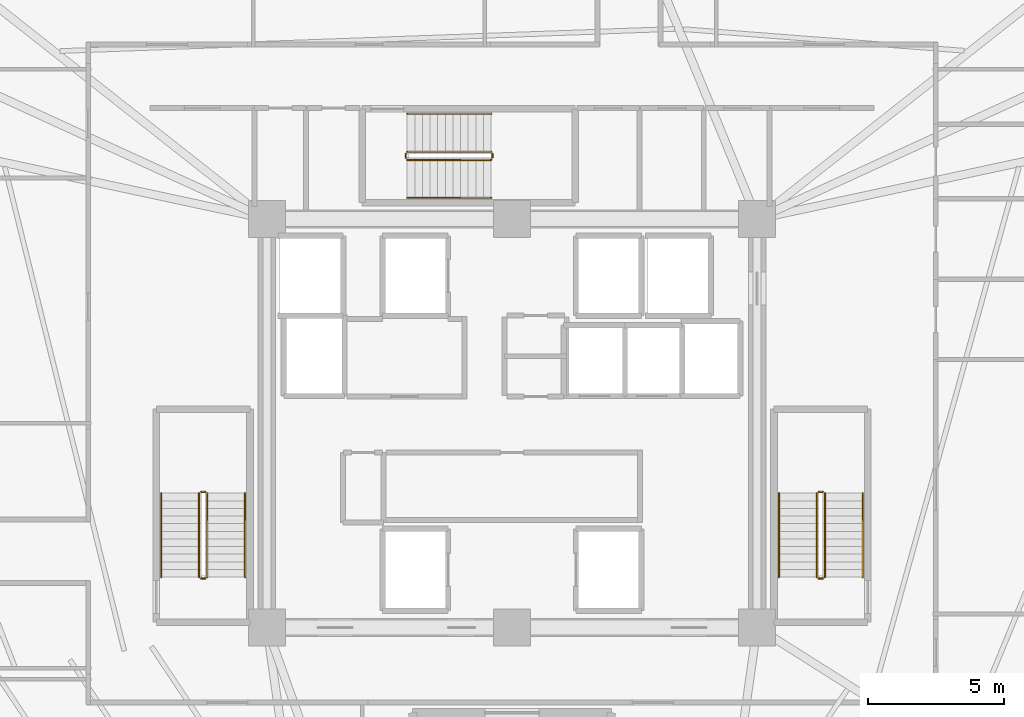
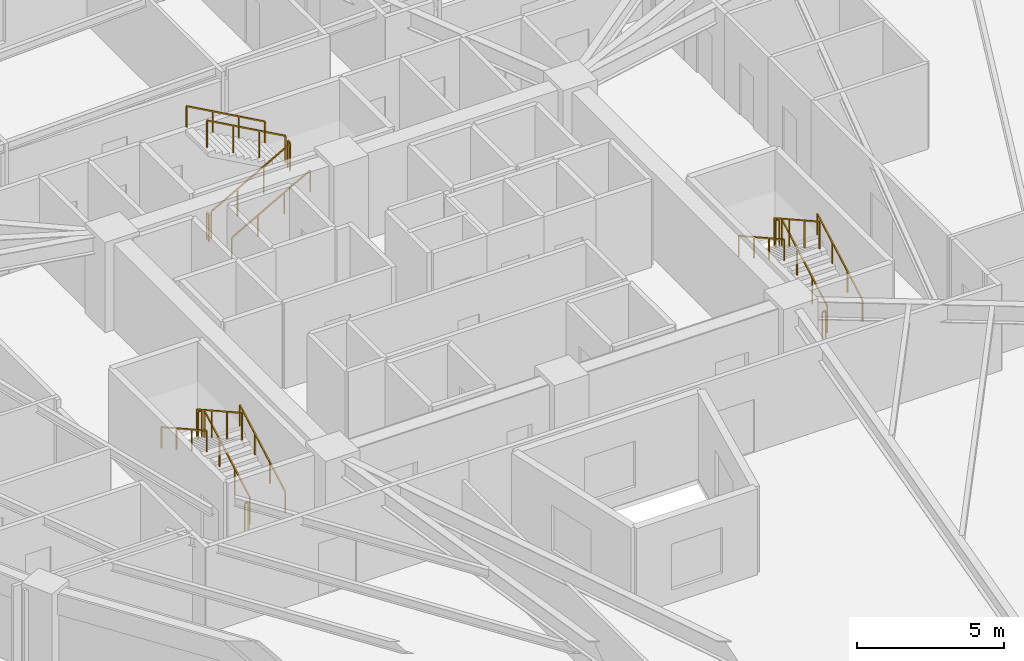
# One storey, part 8 of 8: 18 railings.
"""IFC4 building model written with IfcOpenShell, lengths in metres."""

from ifc_helpers import new_model, si_unit, direction, frame, origin, origin_2d, place, context, subcontext, project, spatial, rectangle, extrude, material, type_object, element, save


model = new_model("IFC4")

# Units and contexts
model_context = context("Model", 3, precision=1e-05, world=origin(), true_north=direction((0.0, 1.0)))
body_context = subcontext(model_context, "Body", "Model", "MODEL_VIEW")
ifc_project = project(units=[si_unit("LENGTHUNIT", "METRE"), si_unit("AREAUNIT", "SQUARE_METRE"), si_unit("VOLUMEUNIT", "CUBIC_METRE"), si_unit("PLANEANGLEUNIT", "RADIAN"), si_unit("MASSUNIT", "GRAM", prefix="KILO")], contexts=[model_context])

# Site, building, storey
site_placement = place(None, origin())
site = spatial("IfcSite", under=ifc_project, at=site_placement, CompositionType="ELEMENT")
building_placement = place(site_placement, origin())
building = spatial("IfcBuilding", under=site, at=building_placement, Name="Liaohun Quay Tower", CompositionType="ELEMENT")
storey_placement = place(building_placement, frame((0.0, 0.0, 251.25)))
storey = spatial("IfcBuildingStorey", under=building, at=storey_placement, Name="L65", CompositionType="ELEMENT", Elevation=251.25)

# Railings
ifc_material_1 = material(Name="Painted tubular steel", Category="steel")
railing_type_1 = type_object("IfcRailingType", Name="RLG-GUARD-STR", PredefinedType="GUARDRAIL", material=ifc_material_1)
railing_1_placement = place(storey_placement, frame((48.81005859375, 48.35009765625, 0.15625)))
element("IfcRailing", 1, at=railing_1_placement, inside=storey, type_object=railing_type_1, Name="L65 ST-1 stair guard 1", PredefinedType="GUARDRAIL", context=body_context, shape_type="SweptSolid", body=[
    extrude(rectangle(XDim=0.048095703125, YDim=0.048095703125, at=origin_2d()), frame((0.0, 0.0, 1.1259765625), z_axis=(0.0, 0.873225103656, 0.487317061414), x_axis=(-1.0, 0.0, 0.0)), (0.0, 0.0, 1.0), 3.52685546875),
    extrude(rectangle(XDim=0.0419921875, YDim=0.0419921875, at=origin_2d()), origin(), (0.0, 0.0, 1.0), 1.101806640625),
    extrude(rectangle(XDim=0.0419921875, YDim=0.0419921875, at=origin_2d()), frame((0.0, 1.026611328125, 0.572998046875)), (0.0, 0.0, 1.0), 1.101806640625),
    extrude(rectangle(XDim=0.0419921875, YDim=0.0419921875, at=origin_2d()), frame((0.0, 2.05322265625, 1.145751953125)), (0.0, 0.0, 1.0), 1.101806640625),
    extrude(rectangle(XDim=0.0419921875, YDim=0.0419921875, at=origin_2d()), frame((0.0, 3.079833984375, 1.71875)), (0.0, 0.0, 1.0), 1.101806640625),
])
railing_2_placement = place(storey_placement, frame((48.72998046875, 51.47998046875, 1.875)))
element("IfcRailing", 2, at=railing_2_placement, inside=storey, type_object=railing_type_1, Name="L65 ST-1 stair guard 2", PredefinedType="GUARDRAIL", context=body_context, shape_type="SweptSolid", body=[
    extrude(rectangle(XDim=0.048095703125, YDim=0.048095703125, at=origin_2d()), frame((0.0, 0.0, 1.1259765625), z_axis=(-1.0, 0.0, 0.0), x_axis=(0.0, -1.0, 0.0)), (0.0, 0.0, 1.0), 0.139892578125),
    extrude(rectangle(XDim=0.0419921875, YDim=0.0419921875, at=origin_2d()), origin(), (0.0, 0.0, 1.0), 1.101806640625),
    extrude(rectangle(XDim=0.0419921875, YDim=0.0419921875, at=origin_2d()), frame((-0.139892578125, 0.0, 0.0)), (0.0, 0.0, 1.0), 1.101806640625),
])
railing_3_placement = place(storey_placement, frame((48.510009765625, 51.429931640625, 2.03125)))
element("IfcRailing", 3, at=railing_3_placement, inside=storey, type_object=railing_type_1, Name="L65 ST-1 stair guard 3", PredefinedType="GUARDRAIL", context=body_context, shape_type="SweptSolid", body=[
    extrude(rectangle(XDim=0.048095703125, YDim=0.048095703125, at=origin_2d()), frame((0.0, 0.0, 1.1259765625), z_axis=(0.0, -0.873225103656, 0.487317061414), x_axis=(1.0, 0.0, 0.0)), (0.0, 0.0, 1.0), 3.52685546875),
    extrude(rectangle(XDim=0.0419921875, YDim=0.0419921875, at=origin_2d()), origin(), (0.0, 0.0, 1.0), 1.101806640625),
    extrude(rectangle(XDim=0.0419921875, YDim=0.0419921875, at=origin_2d()), frame((0.0, -1.026611328125, 0.572998046875)), (0.0, 0.0, 1.0), 1.101806640625),
    extrude(rectangle(XDim=0.0419921875, YDim=0.0419921875, at=origin_2d()), frame((0.0, -2.05322265625, 1.145751953125)), (0.0, 0.0, 1.0), 1.101806640625),
    extrude(rectangle(XDim=0.0419921875, YDim=0.0419921875, at=origin_2d()), frame((0.0, -3.079833984375, 1.71875)), (0.0, 0.0, 1.0), 1.101806640625),
])
railing_4_placement = place(storey_placement, frame((48.72998046875, 48.300048828125, 0.0)))
element("IfcRailing", 4, at=railing_4_placement, inside=storey, type_object=railing_type_1, Name="L65 ST-1 stair guard 4", PredefinedType="GUARDRAIL", context=body_context, shape_type="SweptSolid", body=[
    extrude(rectangle(XDim=0.048095703125, YDim=0.048095703125, at=origin_2d()), frame((0.0, 0.0, 1.1259765625), z_axis=(-1.0, 0.0, 0.0), x_axis=(0.0, -1.0, 0.0)), (0.0, 0.0, 1.0), 0.139892578125),
    extrude(rectangle(XDim=0.0419921875, YDim=0.0419921875, at=origin_2d()), origin(), (0.0, 0.0, 1.0), 1.101806640625),
    extrude(rectangle(XDim=0.0419921875, YDim=0.0419921875, at=origin_2d()), frame((-0.139892578125, 0.0, 0.0)), (0.0, 0.0, 1.0), 1.101806640625),
])
railing_5_placement = place(storey_placement, frame((71.489990234375, 48.35009765625, 0.15625)))
element("IfcRailing", 5, at=railing_5_placement, inside=storey, type_object=railing_type_1, Name="L65 ST-2 stair guard 1", PredefinedType="GUARDRAIL", context=body_context, shape_type="SweptSolid", body=[
    extrude(rectangle(XDim=0.048095703125, YDim=0.048095703125, at=origin_2d()), frame((0.0, 0.0, 1.1259765625), z_axis=(0.0, 0.873225103656, 0.487317061414), x_axis=(-1.0, 0.0, 0.0)), (0.0, 0.0, 1.0), 3.52685546875),
    extrude(rectangle(XDim=0.0419921875, YDim=0.0419921875, at=origin_2d()), origin(), (0.0, 0.0, 1.0), 1.101806640625),
    extrude(rectangle(XDim=0.0419921875, YDim=0.0419921875, at=origin_2d()), frame((0.0, 1.026611328125, 0.572998046875)), (0.0, 0.0, 1.0), 1.101806640625),
    extrude(rectangle(XDim=0.0419921875, YDim=0.0419921875, at=origin_2d()), frame((0.0, 2.05322265625, 1.145751953125)), (0.0, 0.0, 1.0), 1.101806640625),
    extrude(rectangle(XDim=0.0419921875, YDim=0.0419921875, at=origin_2d()), frame((0.0, 3.079833984375, 1.71875)), (0.0, 0.0, 1.0), 1.101806640625),
])
railing_6_placement = place(storey_placement, frame((71.409912109375, 51.47998046875, 1.875)))
element("IfcRailing", 6, at=railing_6_placement, inside=storey, type_object=railing_type_1, Name="L65 ST-2 stair guard 2", PredefinedType="GUARDRAIL", context=body_context, shape_type="SweptSolid", body=[
    extrude(rectangle(XDim=0.048095703125, YDim=0.048095703125, at=origin_2d()), frame((0.0, 0.0, 1.1259765625), z_axis=(-1.0, 0.0, 0.0), x_axis=(0.0, -1.0, 0.0)), (0.0, 0.0, 1.0), 0.139892578125),
    extrude(rectangle(XDim=0.0419921875, YDim=0.0419921875, at=origin_2d()), origin(), (0.0, 0.0, 1.0), 1.101806640625),
    extrude(rectangle(XDim=0.0419921875, YDim=0.0419921875, at=origin_2d()), frame((-0.139892578125, 0.0, 0.0)), (0.0, 0.0, 1.0), 1.101806640625),
])
railing_7_placement = place(storey_placement, frame((71.18994140625, 51.429931640625, 2.03125)))
element("IfcRailing", 7, at=railing_7_placement, inside=storey, type_object=railing_type_1, Name="L65 ST-2 stair guard 3", PredefinedType="GUARDRAIL", context=body_context, shape_type="SweptSolid", body=[
    extrude(rectangle(XDim=0.048095703125, YDim=0.048095703125, at=origin_2d()), frame((0.0, 0.0, 1.1259765625), z_axis=(0.0, -0.873225103656, 0.487317061414), x_axis=(1.0, 0.0, 0.0)), (0.0, 0.0, 1.0), 3.52685546875),
    extrude(rectangle(XDim=0.0419921875, YDim=0.0419921875, at=origin_2d()), origin(), (0.0, 0.0, 1.0), 1.101806640625),
    extrude(rectangle(XDim=0.0419921875, YDim=0.0419921875, at=origin_2d()), frame((0.0, -1.026611328125, 0.572998046875)), (0.0, 0.0, 1.0), 1.101806640625),
    extrude(rectangle(XDim=0.0419921875, YDim=0.0419921875, at=origin_2d()), frame((0.0, -2.05322265625, 1.145751953125)), (0.0, 0.0, 1.0), 1.101806640625),
    extrude(rectangle(XDim=0.0419921875, YDim=0.0419921875, at=origin_2d()), frame((0.0, -3.079833984375, 1.71875)), (0.0, 0.0, 1.0), 1.101806640625),
])
railing_8_placement = place(storey_placement, frame((71.409912109375, 48.300048828125, 0.0)))
element("IfcRailing", 8, at=railing_8_placement, inside=storey, type_object=railing_type_1, Name="L65 ST-2 stair guard 4", PredefinedType="GUARDRAIL", context=body_context, shape_type="SweptSolid", body=[
    extrude(rectangle(XDim=0.048095703125, YDim=0.048095703125, at=origin_2d()), frame((0.0, 0.0, 1.1259765625), z_axis=(-1.0, 0.0, 0.0), x_axis=(0.0, -1.0, 0.0)), (0.0, 0.0, 1.0), 0.139892578125),
    extrude(rectangle(XDim=0.0419921875, YDim=0.0419921875, at=origin_2d()), origin(), (0.0, 0.0, 1.0), 1.101806640625),
    extrude(rectangle(XDim=0.0419921875, YDim=0.0419921875, at=origin_2d()), frame((-0.139892578125, 0.0, 0.0)), (0.0, 0.0, 1.0), 1.101806640625),
])
railing_9_placement = place(storey_placement, frame((56.14990234375, 63.669921875, 0.15625)))
element("IfcRailing", 9, at=railing_9_placement, inside=storey, type_object=railing_type_1, Name="L65 ST-3 stair guard 1", PredefinedType="GUARDRAIL", context=body_context, shape_type="SweptSolid", body=[
    extrude(rectangle(XDim=0.048095703125, YDim=0.048095703125, at=origin_2d()), frame((0.0, 0.0, 1.1259765625), z_axis=(0.873241540666, 0.0, 0.487287606713), x_axis=(0.0, 1.0, 0.0)), (0.0, 0.0, 1.0), 3.527099609375),
    extrude(rectangle(XDim=0.0419921875, YDim=0.0419921875, at=origin_2d()), origin(), (0.0, 0.0, 1.0), 1.101806640625),
    extrude(rectangle(XDim=0.0419921875, YDim=0.0419921875, at=origin_2d()), frame((1.026611328125, 0.0, 0.572998046875)), (0.0, 0.0, 1.0), 1.101806640625),
    extrude(rectangle(XDim=0.0419921875, YDim=0.0419921875, at=origin_2d()), frame((2.053466796875, 0.0, 1.145751953125)), (0.0, 0.0, 1.0), 1.101806640625),
    extrude(rectangle(XDim=0.0419921875, YDim=0.0419921875, at=origin_2d()), frame((3.080078125, 0.0, 1.71875)), (0.0, 0.0, 1.0), 1.101806640625),
])
railing_10_placement = place(storey_placement, frame((59.280029296875, 63.75, 1.875)))
element("IfcRailing", 10, at=railing_10_placement, inside=storey, type_object=railing_type_1, Name="L65 ST-3 stair guard 2", PredefinedType="GUARDRAIL", context=body_context, shape_type="SweptSolid", body=[
    extrude(rectangle(XDim=0.048095703125, YDim=0.048095703125, at=origin_2d()), frame((0.0, 0.0, 1.1259765625), z_axis=(0.0, 1.0, 0.0), x_axis=(-1.0, 0.0, 0.0)), (0.0, 0.0, 1.0), 0.139892578125),
    extrude(rectangle(XDim=0.0419921875, YDim=0.0419921875, at=origin_2d()), origin(), (0.0, 0.0, 1.0), 1.101806640625),
    extrude(rectangle(XDim=0.0419921875, YDim=0.0419921875, at=origin_2d()), frame((0.0, 0.139892578125, 0.0)), (0.0, 0.0, 1.0), 1.101806640625),
])
railing_11_placement = place(storey_placement, frame((59.22998046875, 63.969970703125, 2.03125)))
element("IfcRailing", 11, at=railing_11_placement, inside=storey, type_object=railing_type_1, Name="L65 ST-3 stair guard 3", PredefinedType="GUARDRAIL", context=body_context, shape_type="SweptSolid", body=[
    extrude(rectangle(XDim=0.048095703125, YDim=0.048095703125, at=origin_2d()), frame((0.0, 0.0, 1.1259765625), z_axis=(-0.873241540666, 0.0, 0.487287606713), x_axis=(0.0, -1.0, 0.0)), (0.0, 0.0, 1.0), 3.527099609375),
    extrude(rectangle(XDim=0.0419921875, YDim=0.0419921875, at=origin_2d()), origin(), (0.0, 0.0, 1.0), 1.101806640625),
    extrude(rectangle(XDim=0.0419921875, YDim=0.0419921875, at=origin_2d()), frame((-1.026611328125, 0.0, 0.572998046875)), (0.0, 0.0, 1.0), 1.101806640625),
    extrude(rectangle(XDim=0.0419921875, YDim=0.0419921875, at=origin_2d()), frame((-2.053466796875, 0.0, 1.145751953125)), (0.0, 0.0, 1.0), 1.101806640625),
    extrude(rectangle(XDim=0.0419921875, YDim=0.0419921875, at=origin_2d()), frame((-3.080078125, 0.0, 1.71875)), (0.0, 0.0, 1.0), 1.101806640625),
])
railing_12_placement = place(storey_placement, frame((56.10009765625, 63.75, 0.0)))
element("IfcRailing", 12, at=railing_12_placement, inside=storey, type_object=railing_type_1, Name="L65 ST-3 stair guard 4", PredefinedType="GUARDRAIL", context=body_context, shape_type="SweptSolid", body=[
    extrude(rectangle(XDim=0.048095703125, YDim=0.048095703125, at=origin_2d()), frame((0.0, 0.0, 1.1259765625), z_axis=(0.0, 1.0, 0.0), x_axis=(-1.0, 0.0, 0.0)), (0.0, 0.0, 1.0), 0.139892578125),
    extrude(rectangle(XDim=0.0419921875, YDim=0.0419921875, at=origin_2d()), origin(), (0.0, 0.0, 1.0), 1.101806640625),
    extrude(rectangle(XDim=0.0419921875, YDim=0.0419921875, at=origin_2d()), frame((0.0, 0.139892578125, 0.0)), (0.0, 0.0, 1.0), 1.101806640625),
])
ifc_material_2 = material(Name="Brushed stainless steel", Category="steel")
railing_type_2 = type_object("IfcRailingType", Name="RLG-HND-STR", PredefinedType="HANDRAIL", material=ifc_material_2)
railing_13_placement = place(storey_placement, frame((50.199951171875, 48.35009765625, 0.15625)))
element("IfcRailing", 13, at=railing_13_placement, inside=storey, type_object=railing_type_2, Name="L65 ST-1 stair handrail 1", PredefinedType="HANDRAIL", context=body_context, shape_type="SweptSolid", body=[
    extrude(rectangle(XDim=0.048095703125, YDim=0.048095703125, at=origin_2d()), frame((0.0, 0.0, 0.8759765625), z_axis=(0.0, 0.873225103656, 0.487317061414), x_axis=(-1.0, 0.0, 0.0)), (0.0, 0.0, 1.0), 3.52685546875),
    extrude(rectangle(XDim=0.0419921875, YDim=0.0419921875, at=origin_2d()), origin(), (0.0, 0.0, 1.0), 0.851806640625),
    extrude(rectangle(XDim=0.0419921875, YDim=0.0419921875, at=origin_2d()), frame((0.0, 1.026611328125, 0.572998046875)), (0.0, 0.0, 1.0), 0.851806640625),
    extrude(rectangle(XDim=0.0419921875, YDim=0.0419921875, at=origin_2d()), frame((0.0, 2.05322265625, 1.145751953125)), (0.0, 0.0, 1.0), 0.851806640625),
    extrude(rectangle(XDim=0.0419921875, YDim=0.0419921875, at=origin_2d()), frame((0.0, 3.079833984375, 1.71875)), (0.0, 0.0, 1.0), 0.851806640625),
])
railing_14_placement = place(storey_placement, frame((47.1201171875, 51.429931640625, 2.03125)))
element("IfcRailing", 14, at=railing_14_placement, inside=storey, type_object=railing_type_2, Name="L65 ST-1 stair handrail 2", PredefinedType="HANDRAIL", context=body_context, shape_type="SweptSolid", body=[
    extrude(rectangle(XDim=0.048095703125, YDim=0.048095703125, at=origin_2d()), frame((0.0, 0.0, 0.8759765625), z_axis=(0.0, -0.873225103656, 0.487317061414), x_axis=(1.0, 0.0, 0.0)), (0.0, 0.0, 1.0), 3.52685546875),
    extrude(rectangle(XDim=0.0419921875, YDim=0.0419921875, at=origin_2d()), origin(), (0.0, 0.0, 1.0), 0.851806640625),
    extrude(rectangle(XDim=0.0419921875, YDim=0.0419921875, at=origin_2d()), frame((0.0, -1.026611328125, 0.572998046875)), (0.0, 0.0, 1.0), 0.851806640625),
    extrude(rectangle(XDim=0.0419921875, YDim=0.0419921875, at=origin_2d()), frame((0.0, -2.05322265625, 1.145751953125)), (0.0, 0.0, 1.0), 0.851806640625),
    extrude(rectangle(XDim=0.0419921875, YDim=0.0419921875, at=origin_2d()), frame((0.0, -3.079833984375, 1.71875)), (0.0, 0.0, 1.0), 0.851806640625),
])
railing_15_placement = place(storey_placement, frame((72.8798828125, 48.35009765625, 0.15625)))
element("IfcRailing", 15, at=railing_15_placement, inside=storey, type_object=railing_type_2, Name="L65 ST-2 stair handrail 1", PredefinedType="HANDRAIL", context=body_context, shape_type="SweptSolid", body=[
    extrude(rectangle(XDim=0.048095703125, YDim=0.048095703125, at=origin_2d()), frame((0.0, 0.0, 0.8759765625), z_axis=(0.0, 0.873225103656, 0.487317061414), x_axis=(-1.0, 0.0, 0.0)), (0.0, 0.0, 1.0), 3.52685546875),
    extrude(rectangle(XDim=0.0419921875, YDim=0.0419921875, at=origin_2d()), origin(), (0.0, 0.0, 1.0), 0.851806640625),
    extrude(rectangle(XDim=0.0419921875, YDim=0.0419921875, at=origin_2d()), frame((0.0, 1.026611328125, 0.572998046875)), (0.0, 0.0, 1.0), 0.851806640625),
    extrude(rectangle(XDim=0.0419921875, YDim=0.0419921875, at=origin_2d()), frame((0.0, 2.05322265625, 1.145751953125)), (0.0, 0.0, 1.0), 0.851806640625),
    extrude(rectangle(XDim=0.0419921875, YDim=0.0419921875, at=origin_2d()), frame((0.0, 3.079833984375, 1.71875)), (0.0, 0.0, 1.0), 0.851806640625),
])
railing_16_placement = place(storey_placement, frame((69.800048828125, 51.429931640625, 2.03125)))
element("IfcRailing", 16, at=railing_16_placement, inside=storey, type_object=railing_type_2, Name="L65 ST-2 stair handrail 2", PredefinedType="HANDRAIL", context=body_context, shape_type="SweptSolid", body=[
    extrude(rectangle(XDim=0.048095703125, YDim=0.048095703125, at=origin_2d()), frame((0.0, 0.0, 0.8759765625), z_axis=(0.0, -0.873225103656, 0.487317061414), x_axis=(1.0, 0.0, 0.0)), (0.0, 0.0, 1.0), 3.52685546875),
    extrude(rectangle(XDim=0.0419921875, YDim=0.0419921875, at=origin_2d()), origin(), (0.0, 0.0, 1.0), 0.851806640625),
    extrude(rectangle(XDim=0.0419921875, YDim=0.0419921875, at=origin_2d()), frame((0.0, -1.026611328125, 0.572998046875)), (0.0, 0.0, 1.0), 0.851806640625),
    extrude(rectangle(XDim=0.0419921875, YDim=0.0419921875, at=origin_2d()), frame((0.0, -2.05322265625, 1.145751953125)), (0.0, 0.0, 1.0), 0.851806640625),
    extrude(rectangle(XDim=0.0419921875, YDim=0.0419921875, at=origin_2d()), frame((0.0, -3.079833984375, 1.71875)), (0.0, 0.0, 1.0), 0.851806640625),
])
railing_17_placement = place(storey_placement, frame((56.14990234375, 62.280029296875, 0.15625)))
element("IfcRailing", 17, at=railing_17_placement, inside=storey, type_object=railing_type_2, Name="L65 ST-3 stair handrail 1", PredefinedType="HANDRAIL", context=body_context, shape_type="SweptSolid", body=[
    extrude(rectangle(XDim=0.048095703125, YDim=0.048095703125, at=origin_2d()), frame((0.0, 0.0, 0.8759765625), z_axis=(0.873241540666, 0.0, 0.487287606713), x_axis=(0.0, 1.0, 0.0)), (0.0, 0.0, 1.0), 3.527099609375),
    extrude(rectangle(XDim=0.0419921875, YDim=0.0419921875, at=origin_2d()), origin(), (0.0, 0.0, 1.0), 0.851806640625),
    extrude(rectangle(XDim=0.0419921875, YDim=0.0419921875, at=origin_2d()), frame((1.026611328125, 0.0, 0.572998046875)), (0.0, 0.0, 1.0), 0.851806640625),
    extrude(rectangle(XDim=0.0419921875, YDim=0.0419921875, at=origin_2d()), frame((2.053466796875, 0.0, 1.145751953125)), (0.0, 0.0, 1.0), 0.851806640625),
    extrude(rectangle(XDim=0.0419921875, YDim=0.0419921875, at=origin_2d()), frame((3.080078125, 0.0, 1.71875)), (0.0, 0.0, 1.0), 0.851806640625),
])
railing_18_placement = place(storey_placement, frame((59.22998046875, 65.360107421875, 2.03125)))
element("IfcRailing", 18, at=railing_18_placement, inside=storey, type_object=railing_type_2, Name="L65 ST-3 stair handrail 2", PredefinedType="HANDRAIL", context=body_context, shape_type="SweptSolid", body=[
    extrude(rectangle(XDim=0.048095703125, YDim=0.048095703125, at=origin_2d()), frame((0.0, 0.0, 0.8759765625), z_axis=(-0.873241540666, 0.0, 0.487287606713), x_axis=(0.0, -1.0, 0.0)), (0.0, 0.0, 1.0), 3.527099609375),
    extrude(rectangle(XDim=0.0419921875, YDim=0.0419921875, at=origin_2d()), origin(), (0.0, 0.0, 1.0), 0.851806640625),
    extrude(rectangle(XDim=0.0419921875, YDim=0.0419921875, at=origin_2d()), frame((-1.026611328125, 0.0, 0.572998046875)), (0.0, 0.0, 1.0), 0.851806640625),
    extrude(rectangle(XDim=0.0419921875, YDim=0.0419921875, at=origin_2d()), frame((-2.053466796875, 0.0, 1.145751953125)), (0.0, 0.0, 1.0), 0.851806640625),
    extrude(rectangle(XDim=0.0419921875, YDim=0.0419921875, at=origin_2d()), frame((-3.080078125, 0.0, 1.71875)), (0.0, 0.0, 1.0), 0.851806640625),
])

save(model, "model.ifc")
